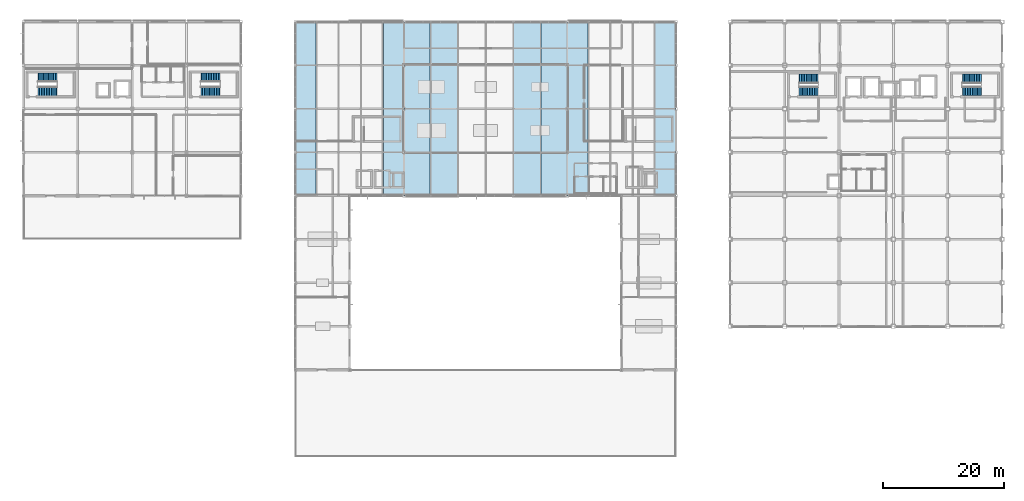
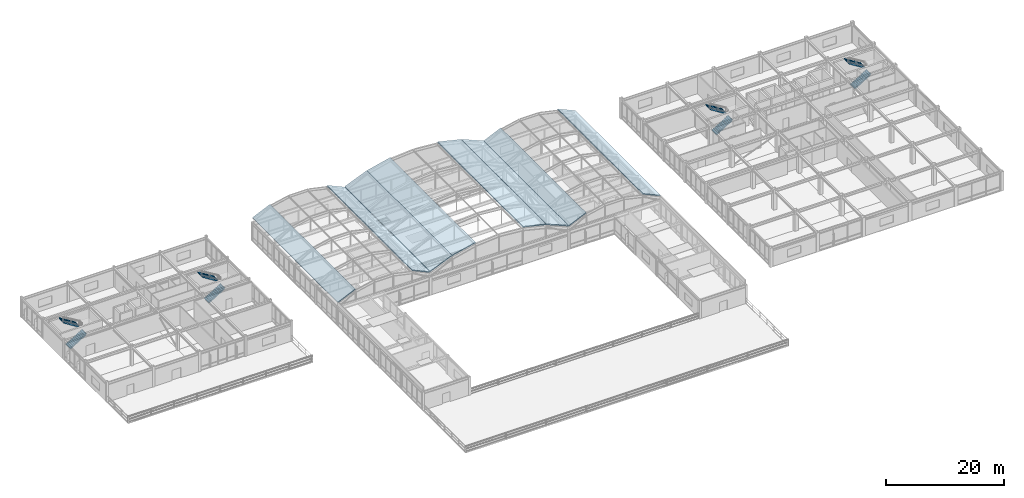
# One storey, part 92 of 106: 8 roofs, 8 stair flights, 4 elements without a shape of their own.
"""IFC4 building model written with IfcOpenShell, lengths in metres."""

from ifc_helpers import new_model, si_unit, direction, frame, origin, place, context, subcontext, project, spatial, polyline, outline, extrude, material, layer, layer_set, type_object, element, aggregate, save


model = new_model("IFC4")

# Units and contexts
model_context = context("Model", 3, precision=1e-05, world=origin(), true_north=direction((0.0, 1.0)))
body_context = subcontext(model_context, "Body", "Model", "MODEL_VIEW")
ifc_project = project(units=[si_unit("LENGTHUNIT", "METRE"), si_unit("AREAUNIT", "SQUARE_METRE"), si_unit("VOLUMEUNIT", "CUBIC_METRE"), si_unit("PLANEANGLEUNIT", "RADIAN"), si_unit("MASSUNIT", "GRAM", prefix="KILO")], contexts=[model_context])

# Site, building, storey
site_placement = place(None, origin())
site = spatial("IfcSite", under=ifc_project, at=site_placement, CompositionType="ELEMENT")
building_placement = place(site_placement, origin())
building = spatial("IfcBuilding", under=site, at=building_placement, Name="Kazanami Central Library", CompositionType="ELEMENT")
storey_placement = place(building_placement, frame((0.0, 0.0, 12.800048828125)))
storey = spatial("IfcBuildingStorey", under=building, at=storey_placement, Name="L04", CompositionType="ELEMENT", Elevation=12.800048828125)

# Stair, stair flights
ifc_material_1 = material(Name="Concrete Fc36 (36 MPa)", Category="concrete")
stair_type = type_object("IfcStairType", Name="STR-T42", PredefinedType="HALF_TURN_STAIR", material=ifc_material_1)
stair_1_placement = place(storey_placement, origin())
stair_1 = element("IfcStair", 1, at=stair_1_placement, inside=storey, type_object=stair_type, Name="Enclosed Escape Stair ST-01 (L04)", PredefinedType="HALF_TURN_STAIR")
stair_flight_type = type_object("IfcStairFlightType", Name="FLT-STR-T42", PredefinedType="STRAIGHT", material=ifc_material_1)
stair_flight_1_placement = place(storey_placement, frame((128.39404296875, 82.125, 0.0), z_axis=(0.0, 0.0, 1.0), x_axis=(1.0, 0.0, 0.0)))
stair_flight_1 = element("IfcStairFlight", 2, at=stair_flight_1_placement, type_object=stair_flight_type, Name="ST-01 flight 1", NumberOfRisers=12, NumberOfTreads=11, PredefinedType="STRAIGHT", RiserHeight=0.175, TreadLength=0.28, context=body_context, shape_type="SweptSolid", body=[
    extrude(outline(polyline([(0.0, 0.0), (0.0, 0.175048828125), (0.280029296875, 0.175048828125), (0.280029296875, 0.35009765625), (0.56005859375, 0.35009765625), (0.56005859375, 0.52490234375), (0.840087890625, 0.52490234375), (0.840087890625, 0.699951171875), (1.1201171875, 0.699951171875), (1.1201171875, 0.875), (1.39990234375, 0.875), (1.39990234375, 1.050048828125), (1.679931640625, 1.050048828125), (1.679931640625, 1.22509765625), (1.9599609375, 1.22509765625), (1.9599609375, 1.39990234375), (2.239990234375, 1.39990234375), (2.239990234375, 1.574951171875), (2.52001953125, 1.574951171875), (2.52001953125, 1.75), (2.800048828125, 1.75), (2.800048828125, 1.925048828125), (3.080078125, 1.925048828125), (3.080078125, 2.10009765625), (3.16015625, 2.10009765625), (3.16015625, 1.920166015625), (3.080078125, 1.712890625), (0.339599609375, 0.0), (0.0, 0.0)])), frame((0.0, 0.75, 0.0), z_axis=(0.0, -1.0, 0.0), x_axis=(1.0, 0.0, 0.0)), (0.0, 0.0, 1.0), 1.5),
])
stair_flight_2_placement = place(storey_placement, frame((131.553955078125, 84.175048828125, 2.099853515625), z_axis=(0.0, 0.0, 1.0), x_axis=(-1.0, 0.0, 0.0)))
stair_flight_2 = element("IfcStairFlight", 3, at=stair_flight_2_placement, type_object=stair_flight_type, Name="ST-01 flight 2", NumberOfRisers=12, NumberOfTreads=11, PredefinedType="STRAIGHT", RiserHeight=0.175, TreadLength=0.28, context=body_context, shape_type="SweptSolid", body=[
    extrude(outline(polyline([(0.0, 0.0), (0.0, 0.175048828125), (0.280029296875, 0.175048828125), (0.280029296875, 0.35009765625), (0.56005859375, 0.35009765625), (0.56005859375, 0.52490234375), (0.840087890625, 0.52490234375), (0.840087890625, 0.699951171875), (1.1201171875, 0.699951171875), (1.1201171875, 0.875), (1.39990234375, 0.875), (1.39990234375, 1.050048828125), (1.679931640625, 1.050048828125), (1.679931640625, 1.22509765625), (1.9599609375, 1.22509765625), (1.9599609375, 1.39990234375), (2.239990234375, 1.39990234375), (2.239990234375, 1.574951171875), (2.52001953125, 1.574951171875), (2.52001953125, 1.75), (2.800048828125, 1.75), (2.800048828125, 1.925048828125), (3.080078125, 1.925048828125), (3.080078125, 2.10009765625), (3.16015625, 2.10009765625), (3.16015625, 1.920166015625), (3.080078125, 1.712890625), (0.339599609375, 0.0), (0.0, 0.0)])), frame((0.0, 0.75, 0.0), z_axis=(0.0, -1.0, 0.0), x_axis=(1.0, 0.0, 0.0)), (0.0, 0.0, 1.0), 1.5),
])
aggregate(stair_1, [stair_flight_1, stair_flight_2])

stair_2_placement = place(storey_placement, origin())
stair_2 = element("IfcStair", 4, at=stair_2_placement, inside=storey, type_object=stair_type, Name="Enclosed Escape Stair ST-02 (L04)", PredefinedType="HALF_TURN_STAIR")
stair_flight_3_placement = place(storey_placement, frame((155.39404296875, 82.125, 0.0), z_axis=(0.0, 0.0, 1.0), x_axis=(1.0, 0.0, 0.0)))
stair_flight_3 = element("IfcStairFlight", 5, at=stair_flight_3_placement, type_object=stair_flight_type, Name="ST-02 flight 1", NumberOfRisers=12, NumberOfTreads=11, PredefinedType="STRAIGHT", RiserHeight=0.175, TreadLength=0.28, context=body_context, shape_type="SweptSolid", body=[
    extrude(outline(polyline([(0.0, 0.0), (0.0, 0.175048828125), (0.280029296875, 0.175048828125), (0.280029296875, 0.35009765625), (0.56005859375, 0.35009765625), (0.56005859375, 0.52490234375), (0.840087890625, 0.52490234375), (0.840087890625, 0.699951171875), (1.1201171875, 0.699951171875), (1.1201171875, 0.875), (1.39990234375, 0.875), (1.39990234375, 1.050048828125), (1.679931640625, 1.050048828125), (1.679931640625, 1.22509765625), (1.9599609375, 1.22509765625), (1.9599609375, 1.39990234375), (2.239990234375, 1.39990234375), (2.239990234375, 1.574951171875), (2.52001953125, 1.574951171875), (2.52001953125, 1.75), (2.800048828125, 1.75), (2.800048828125, 1.925048828125), (3.080078125, 1.925048828125), (3.080078125, 2.10009765625), (3.16015625, 2.10009765625), (3.16015625, 1.920166015625), (3.080078125, 1.712890625), (0.339599609375, 0.0), (0.0, 0.0)])), frame((0.0, 0.75, 0.0), z_axis=(0.0, -1.0, 0.0), x_axis=(1.0, 0.0, 0.0)), (0.0, 0.0, 1.0), 1.5),
])
stair_flight_4_placement = place(storey_placement, frame((158.553955078125, 84.175048828125, 2.099853515625), z_axis=(0.0, 0.0, 1.0), x_axis=(-1.0, 0.0, 0.0)))
stair_flight_4 = element("IfcStairFlight", 6, at=stair_flight_4_placement, type_object=stair_flight_type, Name="ST-02 flight 2", NumberOfRisers=12, NumberOfTreads=11, PredefinedType="STRAIGHT", RiserHeight=0.175, TreadLength=0.28, context=body_context, shape_type="SweptSolid", body=[
    extrude(outline(polyline([(0.0, 0.0), (0.0, 0.175048828125), (0.280029296875, 0.175048828125), (0.280029296875, 0.35009765625), (0.56005859375, 0.35009765625), (0.56005859375, 0.52490234375), (0.840087890625, 0.52490234375), (0.840087890625, 0.699951171875), (1.1201171875, 0.699951171875), (1.1201171875, 0.875), (1.39990234375, 0.875), (1.39990234375, 1.050048828125), (1.679931640625, 1.050048828125), (1.679931640625, 1.22509765625), (1.9599609375, 1.22509765625), (1.9599609375, 1.39990234375), (2.239990234375, 1.39990234375), (2.239990234375, 1.574951171875), (2.52001953125, 1.574951171875), (2.52001953125, 1.75), (2.800048828125, 1.75), (2.800048828125, 1.925048828125), (3.080078125, 1.925048828125), (3.080078125, 2.10009765625), (3.16015625, 2.10009765625), (3.16015625, 1.920166015625), (3.080078125, 1.712890625), (0.339599609375, 0.0), (0.0, 0.0)])), frame((0.0, 0.75, 0.0), z_axis=(0.0, -1.0, 0.0), x_axis=(1.0, 0.0, 0.0)), (0.0, 0.0, 1.0), 1.5),
])
aggregate(stair_2, [stair_flight_3, stair_flight_4])

stair_3_placement = place(storey_placement, origin())
stair_3 = element("IfcStair", 7, at=stair_3_placement, inside=storey, type_object=stair_type, Name="Enclosed Escape Stair ST-05 (L04)", PredefinedType="HALF_TURN_STAIR")
stair_flight_5_placement = place(storey_placement, frame((2.39404296875, 82.10009765625, 0.0), z_axis=(0.0, 0.0, 1.0), x_axis=(1.0, 0.0, 0.0)))
stair_flight_5 = element("IfcStairFlight", 8, at=stair_flight_5_placement, type_object=stair_flight_type, Name="ST-05 flight 1", NumberOfRisers=12, NumberOfTreads=11, PredefinedType="STRAIGHT", RiserHeight=0.175, TreadLength=0.28, context=body_context, shape_type="SweptSolid", body=[
    extrude(outline(polyline([(0.0, 0.0), (0.0, 0.175048828125), (0.280029296875, 0.175048828125), (0.280029296875, 0.35009765625), (0.56005859375, 0.35009765625), (0.56005859375, 0.52490234375), (0.840087890625, 0.52490234375), (0.840087890625, 0.699951171875), (1.1201171875, 0.699951171875), (1.1201171875, 0.875), (1.39990234375, 0.875), (1.39990234375, 1.050048828125), (1.679931640625, 1.050048828125), (1.679931640625, 1.22509765625), (1.9599609375, 1.22509765625), (1.9599609375, 1.39990234375), (2.239990234375, 1.39990234375), (2.239990234375, 1.574951171875), (2.52001953125, 1.574951171875), (2.52001953125, 1.75), (2.800048828125, 1.75), (2.800048828125, 1.925048828125), (3.080078125, 1.925048828125), (3.080078125, 2.10009765625), (3.16015625, 2.10009765625), (3.16015625, 1.920166015625), (3.080078125, 1.712890625), (0.339599609375, 0.0), (0.0, 0.0)])), frame((0.0, 0.75, 0.0), z_axis=(0.0, -1.0, 0.0), x_axis=(1.0, 0.0, 0.0)), (0.0, 0.0, 1.0), 1.5),
])
stair_flight_6_placement = place(storey_placement, frame((5.553955078125, 84.39990234375, 2.099853515625), z_axis=(0.0, 0.0, 1.0), x_axis=(-1.0, 0.0, 0.0)))
stair_flight_6 = element("IfcStairFlight", 9, at=stair_flight_6_placement, type_object=stair_flight_type, Name="ST-05 flight 2", NumberOfRisers=12, NumberOfTreads=11, PredefinedType="STRAIGHT", RiserHeight=0.175, TreadLength=0.28, context=body_context, shape_type="SweptSolid", body=[
    extrude(outline(polyline([(0.0, 0.0), (0.0, 0.175048828125), (0.280029296875, 0.175048828125), (0.280029296875, 0.35009765625), (0.56005859375, 0.35009765625), (0.56005859375, 0.52490234375), (0.840087890625, 0.52490234375), (0.840087890625, 0.699951171875), (1.1201171875, 0.699951171875), (1.1201171875, 0.875), (1.39990234375, 0.875), (1.39990234375, 1.050048828125), (1.679931640625, 1.050048828125), (1.679931640625, 1.22509765625), (1.9599609375, 1.22509765625), (1.9599609375, 1.39990234375), (2.239990234375, 1.39990234375), (2.239990234375, 1.574951171875), (2.52001953125, 1.574951171875), (2.52001953125, 1.75), (2.800048828125, 1.75), (2.800048828125, 1.925048828125), (3.080078125, 1.925048828125), (3.080078125, 2.10009765625), (3.16015625, 2.10009765625), (3.16015625, 1.920166015625), (3.080078125, 1.712890625), (0.339599609375, 0.0), (0.0, 0.0)])), frame((0.0, 0.75, 0.0), z_axis=(0.0, -1.0, 0.0), x_axis=(1.0, 0.0, 0.0)), (0.0, 0.0, 1.0), 1.5),
])
aggregate(stair_3, [stair_flight_5, stair_flight_6])

stair_4_placement = place(storey_placement, origin())
stair_4 = element("IfcStair", 10, at=stair_4_placement, inside=storey, type_object=stair_type, Name="Enclosed Escape Stair ST-06 (L04)", PredefinedType="HALF_TURN_STAIR")
stair_flight_7_placement = place(storey_placement, frame((29.39404296875, 82.10009765625, 0.0), z_axis=(0.0, 0.0, 1.0), x_axis=(1.0, 0.0, 0.0)))
stair_flight_7 = element("IfcStairFlight", 11, at=stair_flight_7_placement, type_object=stair_flight_type, Name="ST-06 flight 1", NumberOfRisers=12, NumberOfTreads=11, PredefinedType="STRAIGHT", RiserHeight=0.175, TreadLength=0.28, context=body_context, shape_type="SweptSolid", body=[
    extrude(outline(polyline([(0.0, 0.0), (0.0, 0.175048828125), (0.280029296875, 0.175048828125), (0.280029296875, 0.35009765625), (0.56005859375, 0.35009765625), (0.56005859375, 0.52490234375), (0.840087890625, 0.52490234375), (0.840087890625, 0.699951171875), (1.1201171875, 0.699951171875), (1.1201171875, 0.875), (1.39990234375, 0.875), (1.39990234375, 1.050048828125), (1.679931640625, 1.050048828125), (1.679931640625, 1.22509765625), (1.9599609375, 1.22509765625), (1.9599609375, 1.39990234375), (2.239990234375, 1.39990234375), (2.239990234375, 1.574951171875), (2.52001953125, 1.574951171875), (2.52001953125, 1.75), (2.800048828125, 1.75), (2.800048828125, 1.925048828125), (3.080078125, 1.925048828125), (3.080078125, 2.10009765625), (3.16015625, 2.10009765625), (3.16015625, 1.920166015625), (3.080078125, 1.712890625), (0.339599609375, 0.0), (0.0, 0.0)])), frame((0.0, 0.75, 0.0), z_axis=(0.0, -1.0, 0.0), x_axis=(1.0, 0.0, 0.0)), (0.0, 0.0, 1.0), 1.5),
])
stair_flight_8_placement = place(storey_placement, frame((32.553955078125, 84.39990234375, 2.099853515625), z_axis=(0.0, 0.0, 1.0), x_axis=(-1.0, 0.0, 0.0)))
stair_flight_8 = element("IfcStairFlight", 12, at=stair_flight_8_placement, type_object=stair_flight_type, Name="ST-06 flight 2", NumberOfRisers=12, NumberOfTreads=11, PredefinedType="STRAIGHT", RiserHeight=0.175, TreadLength=0.28, context=body_context, shape_type="SweptSolid", body=[
    extrude(outline(polyline([(0.0, 0.0), (0.0, 0.175048828125), (0.280029296875, 0.175048828125), (0.280029296875, 0.35009765625), (0.56005859375, 0.35009765625), (0.56005859375, 0.52490234375), (0.840087890625, 0.52490234375), (0.840087890625, 0.699951171875), (1.1201171875, 0.699951171875), (1.1201171875, 0.875), (1.39990234375, 0.875), (1.39990234375, 1.050048828125), (1.679931640625, 1.050048828125), (1.679931640625, 1.22509765625), (1.9599609375, 1.22509765625), (1.9599609375, 1.39990234375), (2.239990234375, 1.39990234375), (2.239990234375, 1.574951171875), (2.52001953125, 1.574951171875), (2.52001953125, 1.75), (2.800048828125, 1.75), (2.800048828125, 1.925048828125), (3.080078125, 1.925048828125), (3.080078125, 2.10009765625), (3.16015625, 2.10009765625), (3.16015625, 1.920166015625), (3.080078125, 1.712890625), (0.339599609375, 0.0), (0.0, 0.0)])), frame((0.0, 0.75, 0.0), z_axis=(0.0, -1.0, 0.0), x_axis=(1.0, 0.0, 0.0)), (0.0, 0.0, 1.0), 1.5),
])
aggregate(stair_4, [stair_flight_7, stair_flight_8])

# Roofs
ifc_material_2 = material(Name="Standing-Seam Titanium Zinc")
ifc_layer_1 = layer(ifc_material_2, 0.199951171875, Name="Standing-Seam Titanium Zinc")
ifc_layer_set_1 = layer_set([ifc_layer_1], Name="Standing-Seam Titanium Zinc")
roof_type_1 = type_object("IfcRoofType", Name="ROOF-RF-BV1", PredefinedType="BARREL_ROOF", material=ifc_layer_set_1)
roof_1_placement = place(storey_placement, frame((63.0, 64.800048828125, 4.824462890625), z_axis=(-0.383642017948, 0.0, 0.923481890491), x_axis=(0.923481890491, 0.0, 0.383642017948)))
element("IfcRoof", 13, at=roof_1_placement, inside=storey, type_object=roof_type_1, Name="Composite Steel Barrel Vault Roof Shell VAULT-MAIN Facet 1", PredefinedType="BARREL_ROOF", context=body_context, shape_type="SweptSolid", body=[
    extrude(outline(polyline([(0.0, 0.0), (4.667182581630449, 0.0), (4.667182581630449, 28.800048828125007), (0.0, 28.800048828125007), (0.0, 0.0)])), origin(), (0.0, 0.0, -1.0), 0.199951171875),
])
for number, where, z_axis, x_axis, name in (
    (14, (67.31005859375, 64.800048828125, 6.604248046875), (-0.234045597459, 0.0, 0.972225621093), (0.972225621093, 0.0, 0.234045597459), "Composite Steel Barrel Vault Roof Shell VAULT-MAIN Facet 2"),
    (15, (81.152587890625, 64.800048828125, 7.696533203125), (0.234045597459, 0.0, 0.972225621093), (0.972225621093, 0.0, -0.234045597459), "Composite Steel Barrel Vault Roof Shell VAULT-MAIN Facet 5"),
):
    element("IfcRoof", number, at=place(storey_placement, frame(where, z_axis=z_axis, x_axis=x_axis)), inside=storey, type_object=roof_type_1, Name=name, PredefinedType="BARREL_ROOF", context=body_context, shape_type="SweptSolid", body=[
        extrude(outline(polyline([(0.0, 0.0), (4.666975871838062, 0.0), (4.666975871838062, 28.800048828125007), (0.0, 28.800048828125007), (0.0, 0.0)])), origin(), (0.0, 0.0, -1.0), 0.199951171875),
    ])
roof_2_placement = place(storey_placement, frame((85.68994140625, 64.800048828125, 6.614990234375), z_axis=(0.383642017948, 0.0, 0.923481890491), x_axis=(0.923481890491, 0.0, -0.383642017948)))
element("IfcRoof", 16, at=roof_2_placement, inside=storey, type_object=roof_type_1, Name="Composite Steel Barrel Vault Roof Shell VAULT-MAIN Facet 6", PredefinedType="BARREL_ROOF", context=body_context, shape_type="SweptSolid", body=[
    extrude(outline(polyline([(0.0, 0.0), (4.667182581630449, 0.0), (4.667182581630449, 28.800048828125007), (0.0, 28.800048828125007), (0.0, 0.0)])), origin(), (0.0, 0.0, -1.0), 0.199951171875),
])
ifc_layer_2 = layer(ifc_material_2, 0.179931640625, Name="Standing-Seam Titanium Zinc")
ifc_layer_set_2 = layer_set([ifc_layer_2], Name="Standing-Seam Titanium Zinc")
roof_type_2 = type_object("IfcRoofType", Name="ROOF-RF-BV2", PredefinedType="BARREL_ROOF", material=ifc_layer_set_2)
for number, where, z_axis, x_axis, name in (
    (17, (45.0, 64.800048828125, 4.717529296875), (-0.412572474631, 0.0, 0.910924779099), (0.910924779099, 0.0, 0.412572474631), "Composite Steel Barrel Vault Roof Shell VAULT-WEST Facet 1"),
    (18, (59.5673828125, 64.800048828125, 6.272216796875), (0.412572474631, 0.0, 0.910924779099), (0.910924779099, 0.0, -0.412572474631), "Composite Steel Barrel Vault Roof Shell VAULT-WEST Facet 5"),
    (19, (90.0, 64.800048828125, 4.717529296875), (-0.412572474631, 0.0, 0.910924779099), (0.910924779099, 0.0, 0.412572474631), "Composite Steel Barrel Vault Roof Shell VAULT-EAST Facet 1"),
    (20, (104.5673828125, 64.800048828125, 6.272216796875), (0.412572474631, 0.0, 0.910924779099), (0.910924779099, 0.0, -0.412572474631), "Composite Steel Barrel Vault Roof Shell VAULT-EAST Facet 5"),
):
    element("IfcRoof", number, at=place(storey_placement, frame(where, z_axis=z_axis, x_axis=x_axis)), inside=storey, type_object=roof_type_2, Name=name, PredefinedType="BARREL_ROOF", context=body_context, shape_type="SweptSolid", body=[
        extrude(outline(polyline([(0.0, 0.0), (3.768277322408299, 0.0), (3.768277322408299, 28.800048828125), (0.0, 28.800048828125), (0.0, 0.0)])), origin(), (0.0, 0.0, -1.0), 0.179931640625),
    ])

save(model, "model.ifc")
